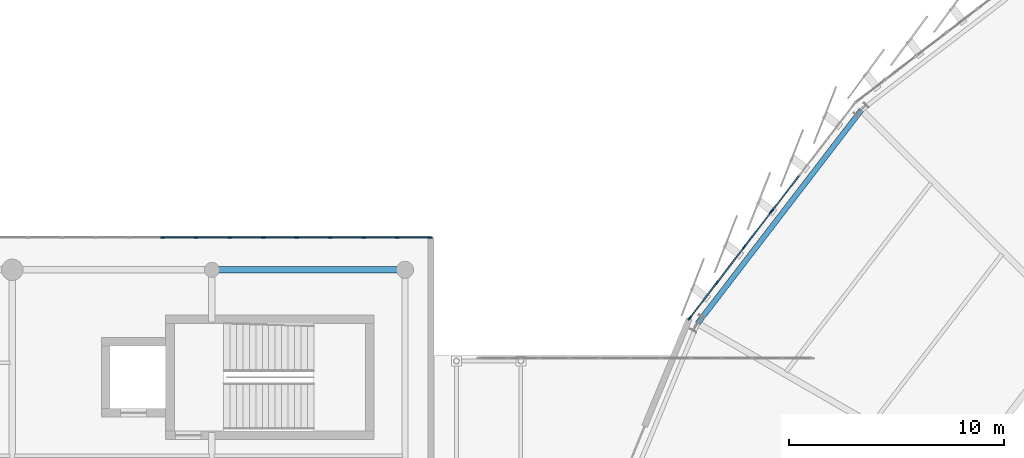
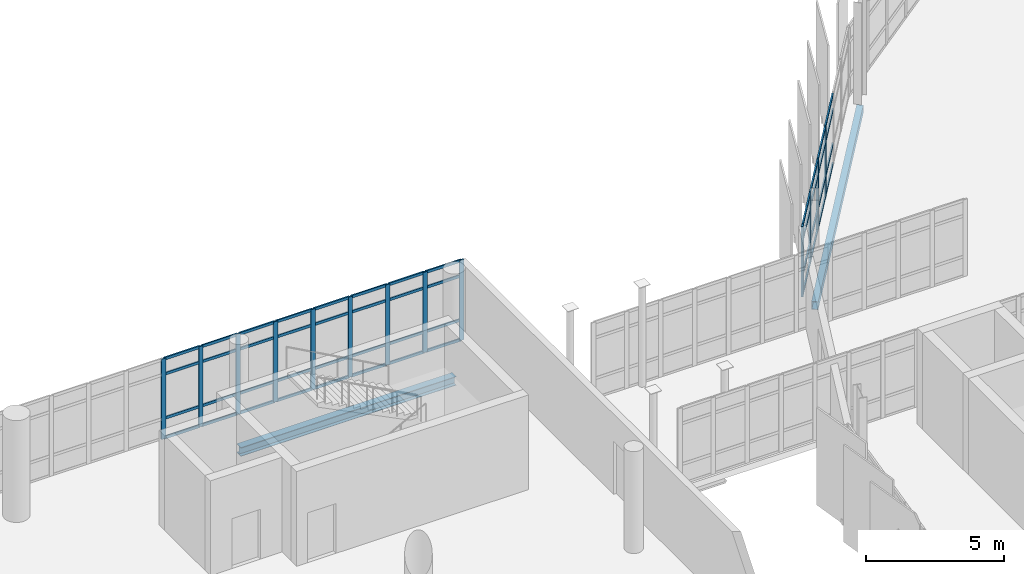
# One storey, part 53 of 125: 61 members, 2 beams, 2 elements without a shape of their own.
"""IFC4 building model written with IfcOpenShell, lengths in metres."""

from ifc_helpers import new_model, si_unit, direction, frame, origin, origin_2d, place, context, subcontext, project, spatial, rectangle, hollow_rectangle, i_section, extrude, material, layer, layer_set, material_profile, profile_set, type_object, element, aggregate, save


model = new_model("IFC4")

# Units and contexts
model_context = context("Model", 3, precision=1e-05, world=origin(), true_north=direction((0.0, 1.0)))
body_context = subcontext(model_context, "Body", "Model", "MODEL_VIEW")
ifc_project = project(units=[si_unit("LENGTHUNIT", "METRE"), si_unit("AREAUNIT", "SQUARE_METRE"), si_unit("VOLUMEUNIT", "CUBIC_METRE"), si_unit("PLANEANGLEUNIT", "RADIAN"), si_unit("MASSUNIT", "GRAM", prefix="KILO")], contexts=[model_context])

# Site, building, storey
site_placement = place(None, origin())
site = spatial("IfcSite", under=ifc_project, at=site_placement, CompositionType="ELEMENT")
building_placement = place(site_placement, origin())
building = spatial("IfcBuilding", under=site, at=building_placement, Name="Sohan Crest Arena", CompositionType="ELEMENT")
storey_placement = place(building_placement, frame((0.0, 0.0, 9.0)))
storey = spatial("IfcBuildingStorey", under=building, at=storey_placement, Name="L02", CompositionType="ELEMENT", Elevation=9.0)

# Curtain wall, members
ifc_material_1 = material(Name="Thermally broken anodised aluminium", Category="aluminium")
ifc_layer_1 = layer(ifc_material_1, 0.199951171875, Name="Thermally broken anodised aluminium")
ifc_layer_set_1 = layer_set([ifc_layer_1], Name="Thermally broken anodised aluminium")
curtain_wall_type_1 = type_object("IfcCurtainWallType", Name="ARC-CW02", PredefinedType="NOTDEFINED", material=ifc_layer_set_1)
curtain_wall_1_placement = place(storey_placement, origin())
curtain_wall_1 = element("IfcCurtainWall", 1, at=curtain_wall_1_placement, inside=storey, type_object=curtain_wall_type_1, Name="Unitised curtain wall CW-214", PredefinedType="NOTDEFINED")
ifc_material_profile_1 = material_profile(ifc_material_1, rectangle(XDim=0.06494140625, YDim=0.179931640625, at=origin_2d()), Name="ALU-MULL 65x180")
ifc_profile_set_1 = profile_set([ifc_material_profile_1], Name="Thermally broken anodised aluminium")
member_type_1 = type_object("IfcMemberType", Name="ARC-CW-ML02", PredefinedType="MULLION", material=ifc_profile_set_1)
member_1_placement = place(storey_placement, frame((43.967529296875, 106.0, 0.0), z_axis=(0.0, 0.0, 1.0), x_axis=(0.0, -1.0, 0.0)))
member_1 = element("IfcMember", 2, at=member_1_placement, type_object=member_type_1, Name="CW-214 mullion 1", PredefinedType="MULLION", context=body_context, shape_type="SweptSolid", body=[
    extrude(rectangle(XDim=0.06494140625, YDim=0.179931640625, at=origin_2d()), origin(), (0.0, 0.0, 1.0), 3.550048828125),
])
member_2_placement = place(storey_placement, frame((42.4375, 106.0, 0.0), z_axis=(0.0, 0.0, 1.0), x_axis=(0.0, -1.0, 0.0)))
member_2 = element("IfcMember", 3, at=member_2_placement, type_object=member_type_1, Name="CW-214 mullion 2", PredefinedType="MULLION", context=body_context, shape_type="SweptSolid", body=[
    extrude(rectangle(XDim=0.06494140625, YDim=0.179931640625, at=origin_2d()), origin(), (0.0, 0.0, 1.0), 3.550048828125),
])
member_3_placement = place(storey_placement, frame((40.875, 106.0, 0.0), z_axis=(0.0, 0.0, 1.0), x_axis=(0.0, -1.0, 0.0)))
member_3 = element("IfcMember", 4, at=member_3_placement, type_object=member_type_1, Name="CW-214 mullion 3", PredefinedType="MULLION", context=body_context, shape_type="SweptSolid", body=[
    extrude(rectangle(XDim=0.06494140625, YDim=0.179931640625, at=origin_2d()), origin(), (0.0, 0.0, 1.0), 3.550048828125),
])
member_4_placement = place(storey_placement, frame((39.3125, 106.0, 0.0), z_axis=(0.0, 0.0, 1.0), x_axis=(0.0, -1.0, 0.0)))
member_4 = element("IfcMember", 5, at=member_4_placement, type_object=member_type_1, Name="CW-214 mullion 4", PredefinedType="MULLION", context=body_context, shape_type="SweptSolid", body=[
    extrude(rectangle(XDim=0.06494140625, YDim=0.179931640625, at=origin_2d()), origin(), (0.0, 0.0, 1.0), 3.550048828125),
])
member_5_placement = place(storey_placement, frame((37.75, 106.0, 0.0), z_axis=(0.0, 0.0, 1.0), x_axis=(0.0, -1.0, 0.0)))
member_5 = element("IfcMember", 6, at=member_5_placement, type_object=member_type_1, Name="CW-214 mullion 5", PredefinedType="MULLION", context=body_context, shape_type="SweptSolid", body=[
    extrude(rectangle(XDim=0.06494140625, YDim=0.179931640625, at=origin_2d()), origin(), (0.0, 0.0, 1.0), 3.550048828125),
])
member_6_placement = place(storey_placement, frame((36.1875, 106.0, 0.0), z_axis=(0.0, 0.0, 1.0), x_axis=(0.0, -1.0, 0.0)))
member_6 = element("IfcMember", 7, at=member_6_placement, type_object=member_type_1, Name="CW-214 mullion 6", PredefinedType="MULLION", context=body_context, shape_type="SweptSolid", body=[
    extrude(rectangle(XDim=0.06494140625, YDim=0.179931640625, at=origin_2d()), origin(), (0.0, 0.0, 1.0), 3.550048828125),
])
member_7_placement = place(storey_placement, frame((34.625, 106.0, 0.0), z_axis=(0.0, 0.0, 1.0), x_axis=(0.0, -1.0, 0.0)))
member_7 = element("IfcMember", 8, at=member_7_placement, type_object=member_type_1, Name="CW-214 mullion 7", PredefinedType="MULLION", context=body_context, shape_type="SweptSolid", body=[
    extrude(rectangle(XDim=0.06494140625, YDim=0.179931640625, at=origin_2d()), origin(), (0.0, 0.0, 1.0), 3.550048828125),
])
member_8_placement = place(storey_placement, frame((33.0625, 106.0, 0.0), z_axis=(0.0, 0.0, 1.0), x_axis=(0.0, -1.0, 0.0)))
member_8 = element("IfcMember", 9, at=member_8_placement, type_object=member_type_1, Name="CW-214 mullion 8", PredefinedType="MULLION", context=body_context, shape_type="SweptSolid", body=[
    extrude(rectangle(XDim=0.06494140625, YDim=0.179931640625, at=origin_2d()), origin(), (0.0, 0.0, 1.0), 3.550048828125),
])
member_9_placement = place(storey_placement, frame((31.5, 106.0, 0.0), z_axis=(0.0, 0.0, 1.0), x_axis=(0.0, -1.0, 0.0)))
member_9 = element("IfcMember", 10, at=member_9_placement, type_object=member_type_1, Name="CW-214 mullion 9", PredefinedType="MULLION", context=body_context, shape_type="SweptSolid", body=[
    extrude(rectangle(XDim=0.06494140625, YDim=0.179931640625, at=origin_2d()), origin(), (0.0, 0.0, 1.0), 3.550048828125),
])

ifc_layer_2 = layer(ifc_material_1, 0.239990234375, Name="Thermally broken anodised aluminium")
ifc_layer_set_2 = layer_set([ifc_layer_2], Name="Thermally broken anodised aluminium")
curtain_wall_type_2 = type_object("IfcCurtainWallType", Name="ARC-CW04", PredefinedType="NOTDEFINED", material=ifc_layer_set_2)
curtain_wall_2_placement = place(storey_placement, origin())
curtain_wall_2 = element("IfcCurtainWall", 11, at=curtain_wall_2_placement, inside=storey, type_object=curtain_wall_type_2, Name="Unitised curtain wall CW-053", PredefinedType="NOTDEFINED")
ifc_material_profile_2 = material_profile(ifc_material_1, rectangle(XDim=0.074951171875, YDim=0.219970703125, at=origin_2d()), Name="ALU-MULL 75x220")
ifc_profile_set_2 = profile_set([ifc_material_profile_2], Name="Thermally broken anodised aluminium")
member_type_2 = type_object("IfcMemberType", Name="ARC-CW-ML04", PredefinedType="MULLION", material=ifc_profile_set_2)
member_10_placement = place(storey_placement, frame((59.89111328125, 107.241943359375, 0.0), z_axis=(0.0, 0.0, 1.0), x_axis=(0.79332886296, -0.60879332716, 0.0)))
member_10 = element("IfcMember", 12, at=member_10_placement, type_object=member_type_2, Name="CW-053 mullion 4", PredefinedType="MULLION", context=body_context, shape_type="SweptSolid", body=[
    extrude(rectangle(XDim=0.074951171875, YDim=0.219970703125, at=origin_2d()), origin(), (0.0, 0.0, 1.0), 3.1201171875),
])
member_11_placement = place(storey_placement, frame((58.607666015625, 105.569580078125, 0.0), z_axis=(0.0, 0.0, 1.0), x_axis=(0.79332886296, -0.60879332716, 0.0)))
member_11 = element("IfcMember", 13, at=member_11_placement, type_object=member_type_2, Name="CW-053 mullion 5", PredefinedType="MULLION", context=body_context, shape_type="SweptSolid", body=[
    extrude(rectangle(XDim=0.074951171875, YDim=0.219970703125, at=origin_2d()), origin(), (0.0, 0.0, 1.0), 3.1201171875),
])
member_12_placement = place(storey_placement, frame((57.32421875, 103.897216796875, 0.0), z_axis=(0.0, 0.0, 1.0), x_axis=(0.79332886296, -0.60879332716, 0.0)))
member_12 = element("IfcMember", 14, at=member_12_placement, type_object=member_type_2, Name="CW-053 mullion 6", PredefinedType="MULLION", context=body_context, shape_type="SweptSolid", body=[
    extrude(rectangle(XDim=0.074951171875, YDim=0.219970703125, at=origin_2d()), origin(), (0.0, 0.0, 1.0), 3.1201171875),
])
member_13_placement = place(storey_placement, frame((56.063720703125, 102.254638671875, 0.0), z_axis=(0.0, 0.0, 1.0), x_axis=(0.79332886296, -0.60879332716, 0.0)))
member_13 = element("IfcMember", 15, at=member_13_placement, type_object=member_type_2, Name="CW-053 mullion 7", PredefinedType="MULLION", context=body_context, shape_type="SweptSolid", body=[
    extrude(rectangle(XDim=0.074951171875, YDim=0.219970703125, at=origin_2d()), origin(), (0.0, 0.0, 1.0), 3.1201171875),
])
ifc_material_profile_3 = material_profile(ifc_material_1, rectangle(XDim=0.06005859375, YDim=0.1201171875, at=origin_2d()), Name="ALU-TRAN 60x120")
ifc_profile_set_3 = profile_set([ifc_material_profile_3], Name="Thermally broken anodised aluminium")
member_type_3 = type_object("IfcMemberType", Name="ARC-CW-TR01", PredefinedType="USERDEFINED", material=ifc_profile_set_3)
member_14_placement = place(storey_placement, frame((61.151611328125, 108.884521484375, 0.030029296875), z_axis=(-0.608839875723, -0.793293139848, 0.0), x_axis=(0.793293139848, -0.608839875723, 0.0)))
member_14 = element("IfcMember", 16, at=member_14_placement, type_object=member_type_3, Name="CW-053 transom 3.1", ObjectType="TRANSOM", PredefinedType="USERDEFINED", context=body_context, shape_type="SweptSolid", body=[
    extrude(rectangle(XDim=0.06005859375, YDim=0.1201171875, at=origin_2d()), origin(), (0.0, 0.0, 1.0), 2.032958984375),
])
member_15_placement = place(storey_placement, frame((61.151611328125, 108.884521484375, 0.89990234375), z_axis=(-0.608839875723, -0.793293139848, 0.0), x_axis=(0.793293139848, -0.608839875723, 0.0)))
member_15 = element("IfcMember", 17, at=member_15_placement, type_object=member_type_3, Name="CW-053 transom 3.2", ObjectType="TRANSOM", PredefinedType="USERDEFINED", context=body_context, shape_type="SweptSolid", body=[
    extrude(rectangle(XDim=0.06005859375, YDim=0.1201171875, at=origin_2d()), origin(), (0.0, 0.0, 1.0), 2.032958984375),
])
member_16_placement = place(storey_placement, frame((61.151611328125, 108.884521484375, 2.419921875), z_axis=(-0.608839875723, -0.793293139848, 0.0), x_axis=(0.793293139848, -0.608839875723, 0.0)))
member_16 = element("IfcMember", 18, at=member_16_placement, type_object=member_type_3, Name="CW-053 transom 3.3", ObjectType="TRANSOM", PredefinedType="USERDEFINED", context=body_context, shape_type="SweptSolid", body=[
    extrude(rectangle(XDim=0.06005859375, YDim=0.1201171875, at=origin_2d()), origin(), (0.0, 0.0, 1.0), 2.032958984375),
])
member_17_placement = place(storey_placement, frame((61.151611328125, 108.884521484375, 3.090087890625), z_axis=(-0.608839875723, -0.793293139848, 0.0), x_axis=(0.793293139848, -0.608839875723, 0.0)))
member_17 = element("IfcMember", 19, at=member_17_placement, type_object=member_type_3, Name="CW-053 transom 3.4", ObjectType="TRANSOM", PredefinedType="USERDEFINED", context=body_context, shape_type="SweptSolid", body=[
    extrude(rectangle(XDim=0.06005859375, YDim=0.1201171875, at=origin_2d()), origin(), (0.0, 0.0, 1.0), 2.032958984375),
])
member_18_placement = place(storey_placement, frame((59.8681640625, 107.212158203125, 0.030029296875), z_axis=(-0.608764295154, -0.793351141012, 0.0), x_axis=(0.793351141012, -0.608764295154, 0.0)))
member_18 = element("IfcMember", 20, at=member_18_placement, type_object=member_type_3, Name="CW-053 transom 4.1", ObjectType="TRANSOM", PredefinedType="USERDEFINED", context=body_context, shape_type="SweptSolid", body=[
    extrude(rectangle(XDim=0.06005859375, YDim=0.1201171875, at=origin_2d()), origin(), (0.0, 0.0, 1.0), 2.032958984375),
])
member_19_placement = place(storey_placement, frame((59.8681640625, 107.212158203125, 0.89990234375), z_axis=(-0.608764295154, -0.793351141012, 0.0), x_axis=(0.793351141012, -0.608764295154, 0.0)))
member_19 = element("IfcMember", 21, at=member_19_placement, type_object=member_type_3, Name="CW-053 transom 4.2", ObjectType="TRANSOM", PredefinedType="USERDEFINED", context=body_context, shape_type="SweptSolid", body=[
    extrude(rectangle(XDim=0.06005859375, YDim=0.1201171875, at=origin_2d()), origin(), (0.0, 0.0, 1.0), 2.032958984375),
])
member_20_placement = place(storey_placement, frame((59.8681640625, 107.212158203125, 2.419921875), z_axis=(-0.608764295154, -0.793351141012, 0.0), x_axis=(0.793351141012, -0.608764295154, 0.0)))
member_20 = element("IfcMember", 22, at=member_20_placement, type_object=member_type_3, Name="CW-053 transom 4.3", ObjectType="TRANSOM", PredefinedType="USERDEFINED", context=body_context, shape_type="SweptSolid", body=[
    extrude(rectangle(XDim=0.06005859375, YDim=0.1201171875, at=origin_2d()), origin(), (0.0, 0.0, 1.0), 2.032958984375),
])
member_21_placement = place(storey_placement, frame((59.8681640625, 107.212158203125, 3.090087890625), z_axis=(-0.608764295154, -0.793351141012, 0.0), x_axis=(0.793351141012, -0.608764295154, 0.0)))
member_21 = element("IfcMember", 23, at=member_21_placement, type_object=member_type_3, Name="CW-053 transom 4.4", ObjectType="TRANSOM", PredefinedType="USERDEFINED", context=body_context, shape_type="SweptSolid", body=[
    extrude(rectangle(XDim=0.06005859375, YDim=0.1201171875, at=origin_2d()), origin(), (0.0, 0.0, 1.0), 2.032958984375),
])
member_22_placement = place(storey_placement, frame((58.584716796875, 105.539794921875, 0.030029296875), z_axis=(-0.608764295154, -0.793351141012, 0.0), x_axis=(0.793351141012, -0.608764295154, 0.0)))
member_22 = element("IfcMember", 24, at=member_22_placement, type_object=member_type_3, Name="CW-053 transom 5.1", ObjectType="TRANSOM", PredefinedType="USERDEFINED", context=body_context, shape_type="SweptSolid", body=[
    extrude(rectangle(XDim=0.06005859375, YDim=0.1201171875, at=origin_2d()), origin(), (0.0, 0.0, 1.0), 2.032958984375),
])
member_23_placement = place(storey_placement, frame((58.584716796875, 105.539794921875, 0.89990234375), z_axis=(-0.608764295154, -0.793351141012, 0.0), x_axis=(0.793351141012, -0.608764295154, 0.0)))
member_23 = element("IfcMember", 25, at=member_23_placement, type_object=member_type_3, Name="CW-053 transom 5.2", ObjectType="TRANSOM", PredefinedType="USERDEFINED", context=body_context, shape_type="SweptSolid", body=[
    extrude(rectangle(XDim=0.06005859375, YDim=0.1201171875, at=origin_2d()), origin(), (0.0, 0.0, 1.0), 2.032958984375),
])
member_24_placement = place(storey_placement, frame((58.584716796875, 105.539794921875, 2.419921875), z_axis=(-0.608764295154, -0.793351141012, 0.0), x_axis=(0.793351141012, -0.608764295154, 0.0)))
member_24 = element("IfcMember", 26, at=member_24_placement, type_object=member_type_3, Name="CW-053 transom 5.3", ObjectType="TRANSOM", PredefinedType="USERDEFINED", context=body_context, shape_type="SweptSolid", body=[
    extrude(rectangle(XDim=0.06005859375, YDim=0.1201171875, at=origin_2d()), origin(), (0.0, 0.0, 1.0), 2.032958984375),
])
member_25_placement = place(storey_placement, frame((58.584716796875, 105.539794921875, 3.090087890625), z_axis=(-0.608764295154, -0.793351141012, 0.0), x_axis=(0.793351141012, -0.608764295154, 0.0)))
member_25 = element("IfcMember", 27, at=member_25_placement, type_object=member_type_3, Name="CW-053 transom 5.4", ObjectType="TRANSOM", PredefinedType="USERDEFINED", context=body_context, shape_type="SweptSolid", body=[
    extrude(rectangle(XDim=0.06005859375, YDim=0.1201171875, at=origin_2d()), origin(), (0.0, 0.0, 1.0), 2.032958984375),
])
member_26_placement = place(storey_placement, frame((57.301513671875, 103.86767578125, 0.030029296875), z_axis=(-0.608752534097, -0.793360165518, 0.0), x_axis=(0.793360165518, -0.608752534097, 0.0)))
member_26 = element("IfcMember", 28, at=member_26_placement, type_object=member_type_3, Name="CW-053 transom 6.1", ObjectType="TRANSOM", PredefinedType="USERDEFINED", context=body_context, shape_type="SweptSolid", body=[
    extrude(rectangle(XDim=0.06005859375, YDim=0.1201171875, at=origin_2d()), origin(), (0.0, 0.0, 1.0), 1.99560546875),
])
member_27_placement = place(storey_placement, frame((57.301513671875, 103.86767578125, 0.89990234375), z_axis=(-0.608752534097, -0.793360165518, 0.0), x_axis=(0.793360165518, -0.608752534097, 0.0)))
member_27 = element("IfcMember", 29, at=member_27_placement, type_object=member_type_3, Name="CW-053 transom 6.2", ObjectType="TRANSOM", PredefinedType="USERDEFINED", context=body_context, shape_type="SweptSolid", body=[
    extrude(rectangle(XDim=0.06005859375, YDim=0.1201171875, at=origin_2d()), origin(), (0.0, 0.0, 1.0), 1.99560546875),
])
member_28_placement = place(storey_placement, frame((57.301513671875, 103.86767578125, 2.419921875), z_axis=(-0.608752534097, -0.793360165518, 0.0), x_axis=(0.793360165518, -0.608752534097, 0.0)))
member_28 = element("IfcMember", 30, at=member_28_placement, type_object=member_type_3, Name="CW-053 transom 6.3", ObjectType="TRANSOM", PredefinedType="USERDEFINED", context=body_context, shape_type="SweptSolid", body=[
    extrude(rectangle(XDim=0.06005859375, YDim=0.1201171875, at=origin_2d()), origin(), (0.0, 0.0, 1.0), 1.99560546875),
])
member_29_placement = place(storey_placement, frame((57.301513671875, 103.86767578125, 3.090087890625), z_axis=(-0.608752534097, -0.793360165518, 0.0), x_axis=(0.793360165518, -0.608752534097, 0.0)))
member_29 = element("IfcMember", 31, at=member_29_placement, type_object=member_type_3, Name="CW-053 transom 6.4", ObjectType="TRANSOM", PredefinedType="USERDEFINED", context=body_context, shape_type="SweptSolid", body=[
    extrude(rectangle(XDim=0.06005859375, YDim=0.1201171875, at=origin_2d()), origin(), (0.0, 0.0, 1.0), 1.99560546875),
])
aggregate(curtain_wall_2, [member_10, member_11, member_12, member_13, member_14, member_15, member_16, member_17, member_18, member_19, member_20, member_21, member_22, member_23, member_24, member_25, member_26, member_27, member_28, member_29])

# Member
member_30_placement = place(storey_placement, frame((43.93505859375, 106.0, 0.030029296875), z_axis=(-1.0, 0.0, 0.0), x_axis=(0.0, -1.0, 0.0)))
member_30 = element("IfcMember", 32, at=member_30_placement, type_object=member_type_3, Name="CW-214 transom 1.1", ObjectType="TRANSOM", PredefinedType="USERDEFINED", context=body_context, shape_type="SweptSolid", body=[
    extrude(rectangle(XDim=0.06005859375, YDim=0.1201171875, at=origin_2d()), origin(), (0.0, 0.0, 1.0), 1.465087890625),
])

member_31_placement = place(storey_placement, frame((43.93505859375, 106.0, 0.89990234375), z_axis=(-1.0, 0.0, 0.0), x_axis=(0.0, -1.0, 0.0)))
member_31 = element("IfcMember", 33, at=member_31_placement, type_object=member_type_3, Name="CW-214 transom 1.2", ObjectType="TRANSOM", PredefinedType="USERDEFINED", context=body_context, shape_type="SweptSolid", body=[
    extrude(rectangle(XDim=0.06005859375, YDim=0.1201171875, at=origin_2d()), origin(), (0.0, 0.0, 1.0), 1.465087890625),
])

member_32_placement = place(storey_placement, frame((43.93505859375, 106.0, 2.85009765625), z_axis=(-1.0, 0.0, 0.0), x_axis=(0.0, -1.0, 0.0)))
member_32 = element("IfcMember", 34, at=member_32_placement, type_object=member_type_3, Name="CW-214 transom 1.3", ObjectType="TRANSOM", PredefinedType="USERDEFINED", context=body_context, shape_type="SweptSolid", body=[
    extrude(rectangle(XDim=0.06005859375, YDim=0.1201171875, at=origin_2d()), origin(), (0.0, 0.0, 1.0), 1.465087890625),
])

member_33_placement = place(storey_placement, frame((43.93505859375, 106.0, 3.52001953125), z_axis=(-1.0, 0.0, 0.0), x_axis=(0.0, -1.0, 0.0)))
member_33 = element("IfcMember", 35, at=member_33_placement, type_object=member_type_3, Name="CW-214 transom 1.4", ObjectType="TRANSOM", PredefinedType="USERDEFINED", context=body_context, shape_type="SweptSolid", body=[
    extrude(rectangle(XDim=0.06005859375, YDim=0.1201171875, at=origin_2d()), origin(), (0.0, 0.0, 1.0), 1.465087890625),
])

member_34_placement = place(storey_placement, frame((42.405029296875, 106.0, 0.030029296875), z_axis=(-1.0, 0.0, 0.0), x_axis=(0.0, -1.0, 0.0)))
member_34 = element("IfcMember", 36, at=member_34_placement, type_object=member_type_3, Name="CW-214 transom 2.1", ObjectType="TRANSOM", PredefinedType="USERDEFINED", context=body_context, shape_type="SweptSolid", body=[
    extrude(rectangle(XDim=0.06005859375, YDim=0.1201171875, at=origin_2d()), origin(), (0.0, 0.0, 1.0), 1.49755859375),
])

member_35_placement = place(storey_placement, frame((42.405029296875, 106.0, 0.89990234375), z_axis=(-1.0, 0.0, 0.0), x_axis=(0.0, -1.0, 0.0)))
member_35 = element("IfcMember", 37, at=member_35_placement, type_object=member_type_3, Name="CW-214 transom 2.2", ObjectType="TRANSOM", PredefinedType="USERDEFINED", context=body_context, shape_type="SweptSolid", body=[
    extrude(rectangle(XDim=0.06005859375, YDim=0.1201171875, at=origin_2d()), origin(), (0.0, 0.0, 1.0), 1.49755859375),
])

member_36_placement = place(storey_placement, frame((42.405029296875, 106.0, 2.85009765625), z_axis=(-1.0, 0.0, 0.0), x_axis=(0.0, -1.0, 0.0)))
member_36 = element("IfcMember", 38, at=member_36_placement, type_object=member_type_3, Name="CW-214 transom 2.3", ObjectType="TRANSOM", PredefinedType="USERDEFINED", context=body_context, shape_type="SweptSolid", body=[
    extrude(rectangle(XDim=0.06005859375, YDim=0.1201171875, at=origin_2d()), origin(), (0.0, 0.0, 1.0), 1.49755859375),
])

member_37_placement = place(storey_placement, frame((42.405029296875, 106.0, 3.52001953125), z_axis=(-1.0, 0.0, 0.0), x_axis=(0.0, -1.0, 0.0)))
member_37 = element("IfcMember", 39, at=member_37_placement, type_object=member_type_3, Name="CW-214 transom 2.4", ObjectType="TRANSOM", PredefinedType="USERDEFINED", context=body_context, shape_type="SweptSolid", body=[
    extrude(rectangle(XDim=0.06005859375, YDim=0.1201171875, at=origin_2d()), origin(), (0.0, 0.0, 1.0), 1.49755859375),
])

member_38_placement = place(storey_placement, frame((40.842529296875, 106.0, 0.030029296875), z_axis=(-1.0, 0.0, 0.0), x_axis=(0.0, -1.0, 0.0)))
member_38 = element("IfcMember", 40, at=member_38_placement, type_object=member_type_3, Name="CW-214 transom 3.1", ObjectType="TRANSOM", PredefinedType="USERDEFINED", context=body_context, shape_type="SweptSolid", body=[
    extrude(rectangle(XDim=0.06005859375, YDim=0.1201171875, at=origin_2d()), origin(), (0.0, 0.0, 1.0), 1.49755859375),
])

member_39_placement = place(storey_placement, frame((40.842529296875, 106.0, 0.89990234375), z_axis=(-1.0, 0.0, 0.0), x_axis=(0.0, -1.0, 0.0)))
member_39 = element("IfcMember", 41, at=member_39_placement, type_object=member_type_3, Name="CW-214 transom 3.2", ObjectType="TRANSOM", PredefinedType="USERDEFINED", context=body_context, shape_type="SweptSolid", body=[
    extrude(rectangle(XDim=0.06005859375, YDim=0.1201171875, at=origin_2d()), origin(), (0.0, 0.0, 1.0), 1.49755859375),
])

member_40_placement = place(storey_placement, frame((40.842529296875, 106.0, 2.85009765625), z_axis=(-1.0, 0.0, 0.0), x_axis=(0.0, -1.0, 0.0)))
member_40 = element("IfcMember", 42, at=member_40_placement, type_object=member_type_3, Name="CW-214 transom 3.3", ObjectType="TRANSOM", PredefinedType="USERDEFINED", context=body_context, shape_type="SweptSolid", body=[
    extrude(rectangle(XDim=0.06005859375, YDim=0.1201171875, at=origin_2d()), origin(), (0.0, 0.0, 1.0), 1.49755859375),
])

member_41_placement = place(storey_placement, frame((40.842529296875, 106.0, 3.52001953125), z_axis=(-1.0, 0.0, 0.0), x_axis=(0.0, -1.0, 0.0)))
member_41 = element("IfcMember", 43, at=member_41_placement, type_object=member_type_3, Name="CW-214 transom 3.4", ObjectType="TRANSOM", PredefinedType="USERDEFINED", context=body_context, shape_type="SweptSolid", body=[
    extrude(rectangle(XDim=0.06005859375, YDim=0.1201171875, at=origin_2d()), origin(), (0.0, 0.0, 1.0), 1.49755859375),
])

member_42_placement = place(storey_placement, frame((39.280029296875, 106.0, 0.030029296875), z_axis=(-1.0, 0.0, 0.0), x_axis=(0.0, -1.0, 0.0)))
member_42 = element("IfcMember", 44, at=member_42_placement, type_object=member_type_3, Name="CW-214 transom 4.1", ObjectType="TRANSOM", PredefinedType="USERDEFINED", context=body_context, shape_type="SweptSolid", body=[
    extrude(rectangle(XDim=0.06005859375, YDim=0.1201171875, at=origin_2d()), origin(), (0.0, 0.0, 1.0), 1.49755859375),
])

member_43_placement = place(storey_placement, frame((39.280029296875, 106.0, 0.89990234375), z_axis=(-1.0, 0.0, 0.0), x_axis=(0.0, -1.0, 0.0)))
member_43 = element("IfcMember", 45, at=member_43_placement, type_object=member_type_3, Name="CW-214 transom 4.2", ObjectType="TRANSOM", PredefinedType="USERDEFINED", context=body_context, shape_type="SweptSolid", body=[
    extrude(rectangle(XDim=0.06005859375, YDim=0.1201171875, at=origin_2d()), origin(), (0.0, 0.0, 1.0), 1.49755859375),
])

member_44_placement = place(storey_placement, frame((39.280029296875, 106.0, 2.85009765625), z_axis=(-1.0, 0.0, 0.0), x_axis=(0.0, -1.0, 0.0)))
member_44 = element("IfcMember", 46, at=member_44_placement, type_object=member_type_3, Name="CW-214 transom 4.3", ObjectType="TRANSOM", PredefinedType="USERDEFINED", context=body_context, shape_type="SweptSolid", body=[
    extrude(rectangle(XDim=0.06005859375, YDim=0.1201171875, at=origin_2d()), origin(), (0.0, 0.0, 1.0), 1.49755859375),
])

member_45_placement = place(storey_placement, frame((39.280029296875, 106.0, 3.52001953125), z_axis=(-1.0, 0.0, 0.0), x_axis=(0.0, -1.0, 0.0)))
member_45 = element("IfcMember", 47, at=member_45_placement, type_object=member_type_3, Name="CW-214 transom 4.4", ObjectType="TRANSOM", PredefinedType="USERDEFINED", context=body_context, shape_type="SweptSolid", body=[
    extrude(rectangle(XDim=0.06005859375, YDim=0.1201171875, at=origin_2d()), origin(), (0.0, 0.0, 1.0), 1.49755859375),
])

member_46_placement = place(storey_placement, frame((37.717529296875, 106.0, 0.030029296875), z_axis=(-1.0, 0.0, 0.0), x_axis=(0.0, -1.0, 0.0)))
member_46 = element("IfcMember", 48, at=member_46_placement, type_object=member_type_3, Name="CW-214 transom 5.1", ObjectType="TRANSOM", PredefinedType="USERDEFINED", context=body_context, shape_type="SweptSolid", body=[
    extrude(rectangle(XDim=0.06005859375, YDim=0.1201171875, at=origin_2d()), origin(), (0.0, 0.0, 1.0), 1.49755859375),
])

member_47_placement = place(storey_placement, frame((37.717529296875, 106.0, 0.89990234375), z_axis=(-1.0, 0.0, 0.0), x_axis=(0.0, -1.0, 0.0)))
member_47 = element("IfcMember", 49, at=member_47_placement, type_object=member_type_3, Name="CW-214 transom 5.2", ObjectType="TRANSOM", PredefinedType="USERDEFINED", context=body_context, shape_type="SweptSolid", body=[
    extrude(rectangle(XDim=0.06005859375, YDim=0.1201171875, at=origin_2d()), origin(), (0.0, 0.0, 1.0), 1.49755859375),
])

member_48_placement = place(storey_placement, frame((37.717529296875, 106.0, 2.85009765625), z_axis=(-1.0, 0.0, 0.0), x_axis=(0.0, -1.0, 0.0)))
member_48 = element("IfcMember", 50, at=member_48_placement, type_object=member_type_3, Name="CW-214 transom 5.3", ObjectType="TRANSOM", PredefinedType="USERDEFINED", context=body_context, shape_type="SweptSolid", body=[
    extrude(rectangle(XDim=0.06005859375, YDim=0.1201171875, at=origin_2d()), origin(), (0.0, 0.0, 1.0), 1.49755859375),
])

member_49_placement = place(storey_placement, frame((37.717529296875, 106.0, 3.52001953125), z_axis=(-1.0, 0.0, 0.0), x_axis=(0.0, -1.0, 0.0)))
member_49 = element("IfcMember", 51, at=member_49_placement, type_object=member_type_3, Name="CW-214 transom 5.4", ObjectType="TRANSOM", PredefinedType="USERDEFINED", context=body_context, shape_type="SweptSolid", body=[
    extrude(rectangle(XDim=0.06005859375, YDim=0.1201171875, at=origin_2d()), origin(), (0.0, 0.0, 1.0), 1.49755859375),
])

member_50_placement = place(storey_placement, frame((36.155029296875, 106.0, 0.030029296875), z_axis=(-1.0, 0.0, 0.0), x_axis=(0.0, -1.0, 0.0)))
member_50 = element("IfcMember", 52, at=member_50_placement, type_object=member_type_3, Name="CW-214 transom 6.1", ObjectType="TRANSOM", PredefinedType="USERDEFINED", context=body_context, shape_type="SweptSolid", body=[
    extrude(rectangle(XDim=0.06005859375, YDim=0.1201171875, at=origin_2d()), origin(), (0.0, 0.0, 1.0), 1.49755859375),
])

member_51_placement = place(storey_placement, frame((36.155029296875, 106.0, 0.89990234375), z_axis=(-1.0, 0.0, 0.0), x_axis=(0.0, -1.0, 0.0)))
member_51 = element("IfcMember", 53, at=member_51_placement, type_object=member_type_3, Name="CW-214 transom 6.2", ObjectType="TRANSOM", PredefinedType="USERDEFINED", context=body_context, shape_type="SweptSolid", body=[
    extrude(rectangle(XDim=0.06005859375, YDim=0.1201171875, at=origin_2d()), origin(), (0.0, 0.0, 1.0), 1.49755859375),
])

member_52_placement = place(storey_placement, frame((36.155029296875, 106.0, 2.85009765625), z_axis=(-1.0, 0.0, 0.0), x_axis=(0.0, -1.0, 0.0)))
member_52 = element("IfcMember", 54, at=member_52_placement, type_object=member_type_3, Name="CW-214 transom 6.3", ObjectType="TRANSOM", PredefinedType="USERDEFINED", context=body_context, shape_type="SweptSolid", body=[
    extrude(rectangle(XDim=0.06005859375, YDim=0.1201171875, at=origin_2d()), origin(), (0.0, 0.0, 1.0), 1.49755859375),
])

member_53_placement = place(storey_placement, frame((36.155029296875, 106.0, 3.52001953125), z_axis=(-1.0, 0.0, 0.0), x_axis=(0.0, -1.0, 0.0)))
member_53 = element("IfcMember", 55, at=member_53_placement, type_object=member_type_3, Name="CW-214 transom 6.4", ObjectType="TRANSOM", PredefinedType="USERDEFINED", context=body_context, shape_type="SweptSolid", body=[
    extrude(rectangle(XDim=0.06005859375, YDim=0.1201171875, at=origin_2d()), origin(), (0.0, 0.0, 1.0), 1.49755859375),
])

member_54_placement = place(storey_placement, frame((34.592529296875, 106.0, 0.030029296875), z_axis=(-1.0, 0.0, 0.0), x_axis=(0.0, -1.0, 0.0)))
member_54 = element("IfcMember", 56, at=member_54_placement, type_object=member_type_3, Name="CW-214 transom 7.1", ObjectType="TRANSOM", PredefinedType="USERDEFINED", context=body_context, shape_type="SweptSolid", body=[
    extrude(rectangle(XDim=0.06005859375, YDim=0.1201171875, at=origin_2d()), origin(), (0.0, 0.0, 1.0), 1.49755859375),
])

member_55_placement = place(storey_placement, frame((34.592529296875, 106.0, 0.89990234375), z_axis=(-1.0, 0.0, 0.0), x_axis=(0.0, -1.0, 0.0)))
member_55 = element("IfcMember", 57, at=member_55_placement, type_object=member_type_3, Name="CW-214 transom 7.2", ObjectType="TRANSOM", PredefinedType="USERDEFINED", context=body_context, shape_type="SweptSolid", body=[
    extrude(rectangle(XDim=0.06005859375, YDim=0.1201171875, at=origin_2d()), origin(), (0.0, 0.0, 1.0), 1.49755859375),
])

member_56_placement = place(storey_placement, frame((34.592529296875, 106.0, 2.85009765625), z_axis=(-1.0, 0.0, 0.0), x_axis=(0.0, -1.0, 0.0)))
member_56 = element("IfcMember", 58, at=member_56_placement, type_object=member_type_3, Name="CW-214 transom 7.3", ObjectType="TRANSOM", PredefinedType="USERDEFINED", context=body_context, shape_type="SweptSolid", body=[
    extrude(rectangle(XDim=0.06005859375, YDim=0.1201171875, at=origin_2d()), origin(), (0.0, 0.0, 1.0), 1.49755859375),
])

member_57_placement = place(storey_placement, frame((34.592529296875, 106.0, 3.52001953125), z_axis=(-1.0, 0.0, 0.0), x_axis=(0.0, -1.0, 0.0)))
member_57 = element("IfcMember", 59, at=member_57_placement, type_object=member_type_3, Name="CW-214 transom 7.4", ObjectType="TRANSOM", PredefinedType="USERDEFINED", context=body_context, shape_type="SweptSolid", body=[
    extrude(rectangle(XDim=0.06005859375, YDim=0.1201171875, at=origin_2d()), origin(), (0.0, 0.0, 1.0), 1.49755859375),
])

member_58_placement = place(storey_placement, frame((33.030029296875, 106.0, 0.030029296875), z_axis=(-1.0, 0.0, 0.0), x_axis=(0.0, -1.0, 0.0)))
member_58 = element("IfcMember", 60, at=member_58_placement, type_object=member_type_3, Name="CW-214 transom 8.1", ObjectType="TRANSOM", PredefinedType="USERDEFINED", context=body_context, shape_type="SweptSolid", body=[
    extrude(rectangle(XDim=0.06005859375, YDim=0.1201171875, at=origin_2d()), origin(), (0.0, 0.0, 1.0), 1.49755859375),
])

member_59_placement = place(storey_placement, frame((33.030029296875, 106.0, 0.89990234375), z_axis=(-1.0, 0.0, 0.0), x_axis=(0.0, -1.0, 0.0)))
member_59 = element("IfcMember", 61, at=member_59_placement, type_object=member_type_3, Name="CW-214 transom 8.2", ObjectType="TRANSOM", PredefinedType="USERDEFINED", context=body_context, shape_type="SweptSolid", body=[
    extrude(rectangle(XDim=0.06005859375, YDim=0.1201171875, at=origin_2d()), origin(), (0.0, 0.0, 1.0), 1.49755859375),
])

member_60_placement = place(storey_placement, frame((33.030029296875, 106.0, 2.85009765625), z_axis=(-1.0, 0.0, 0.0), x_axis=(0.0, -1.0, 0.0)))
member_60 = element("IfcMember", 62, at=member_60_placement, type_object=member_type_3, Name="CW-214 transom 8.3", ObjectType="TRANSOM", PredefinedType="USERDEFINED", context=body_context, shape_type="SweptSolid", body=[
    extrude(rectangle(XDim=0.06005859375, YDim=0.1201171875, at=origin_2d()), origin(), (0.0, 0.0, 1.0), 1.49755859375),
])

member_61_placement = place(storey_placement, frame((33.030029296875, 106.0, 3.52001953125), z_axis=(-1.0, 0.0, 0.0), x_axis=(0.0, -1.0, 0.0)))
member_61 = element("IfcMember", 63, at=member_61_placement, type_object=member_type_3, Name="CW-214 transom 8.4", ObjectType="TRANSOM", PredefinedType="USERDEFINED", context=body_context, shape_type="SweptSolid", body=[
    extrude(rectangle(XDim=0.06005859375, YDim=0.1201171875, at=origin_2d()), origin(), (0.0, 0.0, 1.0), 1.49755859375),
])

aggregate(curtain_wall_1, [member_1, member_2, member_3, member_4, member_5, member_6, member_7, member_8, member_9, member_30, member_31, member_32, member_33, member_34, member_35, member_36, member_37, member_38, member_39, member_40, member_41, member_42, member_43, member_44, member_45, member_46, member_47, member_48, member_49, member_50, member_51, member_52, member_53, member_54, member_55, member_56, member_57, member_58, member_59, member_60, member_61])

# Beams
ifc_material_2 = material(Name="Steel S355", Category="steel")
ifc_material_profile_4 = material_profile(ifc_material_2, i_section(OverallWidth=0.300048828125, OverallDepth=0.389892578125, WebThickness=0.010986328125, FlangeThickness=0.01904296875, at=origin_2d()), Name="HEA 400")
ifc_profile_set_4 = profile_set([ifc_material_profile_4], Name="Steel S355")
beam_type_1 = type_object("IfcBeamType", Name="STR-BM-B09", PredefinedType="BEAM", material=ifc_profile_set_4)
beam_1_placement = place(storey_placement, frame((33.800048828125, 104.5, -0.405029296875), z_axis=(1.0, 0.0, 0.0), x_axis=(0.0, 1.0, 0.0)))
element("IfcBeam", 64, at=beam_1_placement, inside=storey, type_object=beam_type_1, Name="Structural beam G-L02-2084", PredefinedType="BEAM", context=body_context, shape_type="SweptSolid", body=[
    extrude(i_section(OverallWidth=0.300048828125, OverallDepth=0.389892578125, WebThickness=0.010986328125, FlangeThickness=0.01904296875, at=origin_2d()), origin(), (0.0, 0.0, 1.0), 9.0),
])
ifc_material_profile_5 = material_profile(ifc_material_2, hollow_rectangle(XDim=0.25, YDim=0.35009765625, WallThickness=0.012451171875, at=origin_2d()), Name="RHS 350x250x12.5")
ifc_profile_set_5 = profile_set([ifc_material_profile_5], Name="Steel S355")
beam_type_2 = type_object("IfcBeamType", Name="STR-BM-SP04", PredefinedType="SPANDREL", material=ifc_profile_set_5)
beam_2_placement = place(storey_placement, frame((64.05908203125, 111.94091796875, -0.425048828125), z_axis=(-0.608773443368, -0.793344121205, 0.0), x_axis=(0.793344121205, -0.608773443368, 0.0)))
element("IfcBeam", 65, at=beam_2_placement, inside=storey, type_object=beam_type_2, Name="Structural beam SP-L02-1259", PredefinedType="SPANDREL", context=body_context, shape_type="SweptSolid", body=[
    extrude(hollow_rectangle(XDim=0.25, YDim=0.35009765625, WallThickness=0.012451171875, at=origin_2d()), origin(), (0.0, 0.0, 1.0), 12.530517578125),
])

save(model, "model.ifc")
